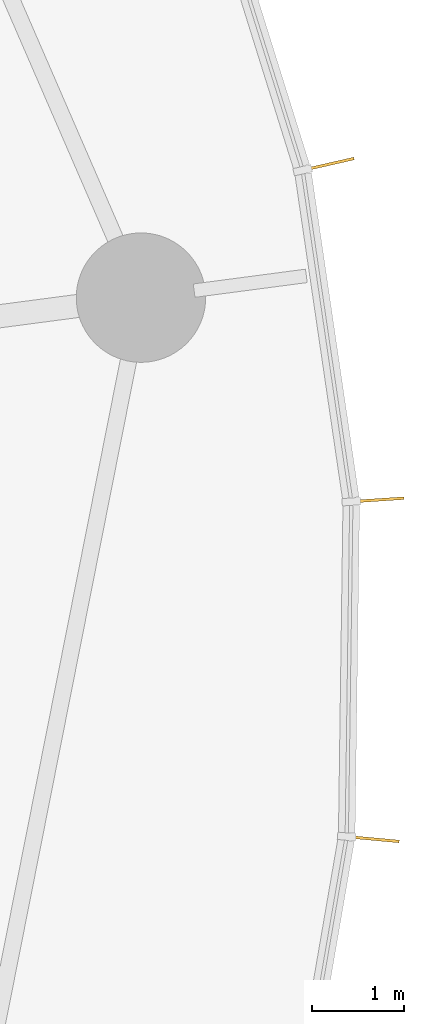
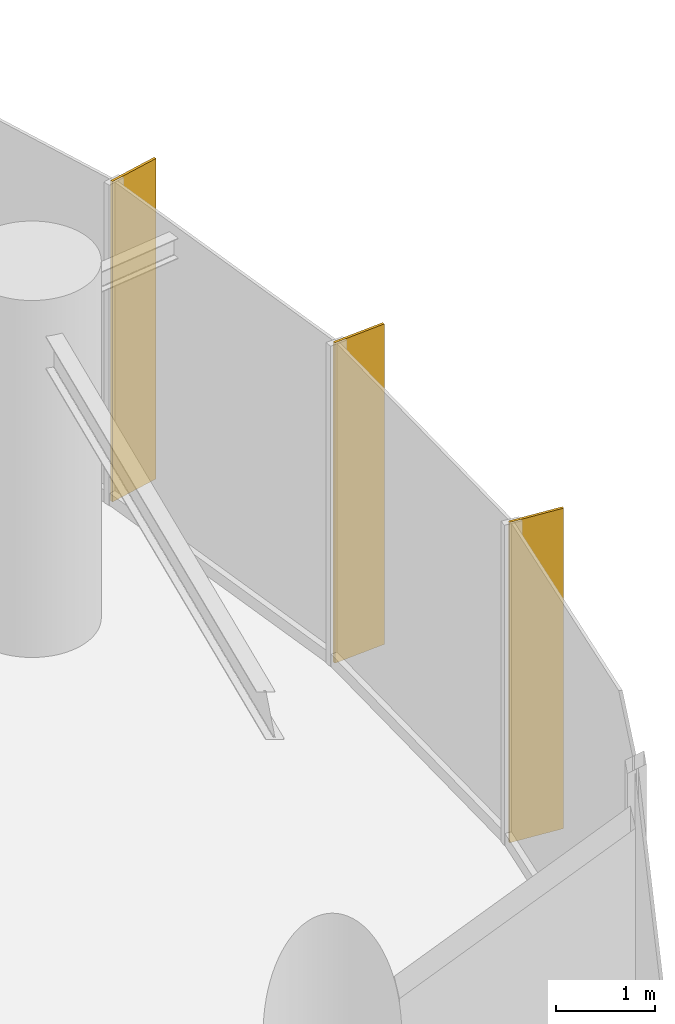
# One storey, part 19 of 19: 3 shading devices.
"""IFC4 building model written with IfcOpenShell, lengths in metres."""

from ifc_helpers import new_model, si_unit, direction, frame, origin, origin_2d, place, context, subcontext, project, spatial, rectangle, extrude, source, transform, mapped, material, material_profile, profile_set, type_object, element, save


model = new_model("IFC4")

# Units and contexts
model_context = context("Model", 3, precision=1e-05, world=origin(), true_north=direction((0.0, 1.0)))
body_context = subcontext(model_context, "Body", "Model", "MODEL_VIEW")
ifc_project = project(units=[si_unit("LENGTHUNIT", "METRE"), si_unit("AREAUNIT", "SQUARE_METRE"), si_unit("VOLUMEUNIT", "CUBIC_METRE"), si_unit("PLANEANGLEUNIT", "RADIAN"), si_unit("MASSUNIT", "GRAM", prefix="KILO")], contexts=[model_context])

# Site, building, storey
site_placement = place(None, origin())
site = spatial("IfcSite", under=ifc_project, at=site_placement, CompositionType="ELEMENT")
building_placement = place(site_placement, origin())
building = spatial("IfcBuilding", under=site, at=building_placement, Name="Spindrift Exchange Tower", CompositionType="ELEMENT")
storey_placement = place(building_placement, frame((0.0, 0.0, 31.39990234375)))
storey = spatial("IfcBuildingStorey", under=building, at=storey_placement, Name="L07", CompositionType="ELEMENT", Elevation=31.39990234375)

# Shading devices
ifc_material = material(Name="Bronze anodised aluminium", Category="aluminium")
ifc_material_profile = material_profile(ifc_material, rectangle(XDim=0.030029296875, YDim=0.60009765625, at=origin_2d()), Name="WIND FIN 30X600")
ifc_profile_set = profile_set([ifc_material_profile], Name="Bronze anodised aluminium")
shading_device_type = type_object("IfcShadingDeviceType", Name="WIND FIN 30X600", PredefinedType="USERDEFINED", material=ifc_profile_set)
shared_shape = source(origin(), body_context, "Body", "SweptSolid", [
    extrude(rectangle(XDim=0.030029296875, YDim=0.60009765625, at=origin_2d()), origin(), (0.0, 0.0, 1.0), 3.9501953125),
])
for number, where, z_axis, x_axis, name in (
    (1, (90.535888671875, 50.548828125, 0.0), (0.0, 0.0, 1.0), (-0.066000483657, 0.997819590987, 0.0), "L07 wind fin 2"),
    (2, (90.003173828125, 54.177001953125, 0.0), (0.0, 0.0, 1.0), (-0.222453842947, 0.974943222838, 0.0), "L07 wind fin 3"),
    (3, (90.485595703125, 46.882080078125, 0.0), (0.0, 0.0, 1.0), (0.092101214616, 0.995749650397, 0.0), "L07 wind fin 4"),
):
    element("IfcShadingDevice", number, at=place(storey_placement, frame(where, z_axis=z_axis, x_axis=x_axis)), inside=storey, type_object=shading_device_type, Name=name, ObjectType="FIN", PredefinedType="USERDEFINED", context=body_context, shape_type="MappedRepresentation", body=[
        mapped(shared_shape, transform((0.0, 0.0, 0.0), scale=1.0)),
    ])

save(model, "model.ifc")
